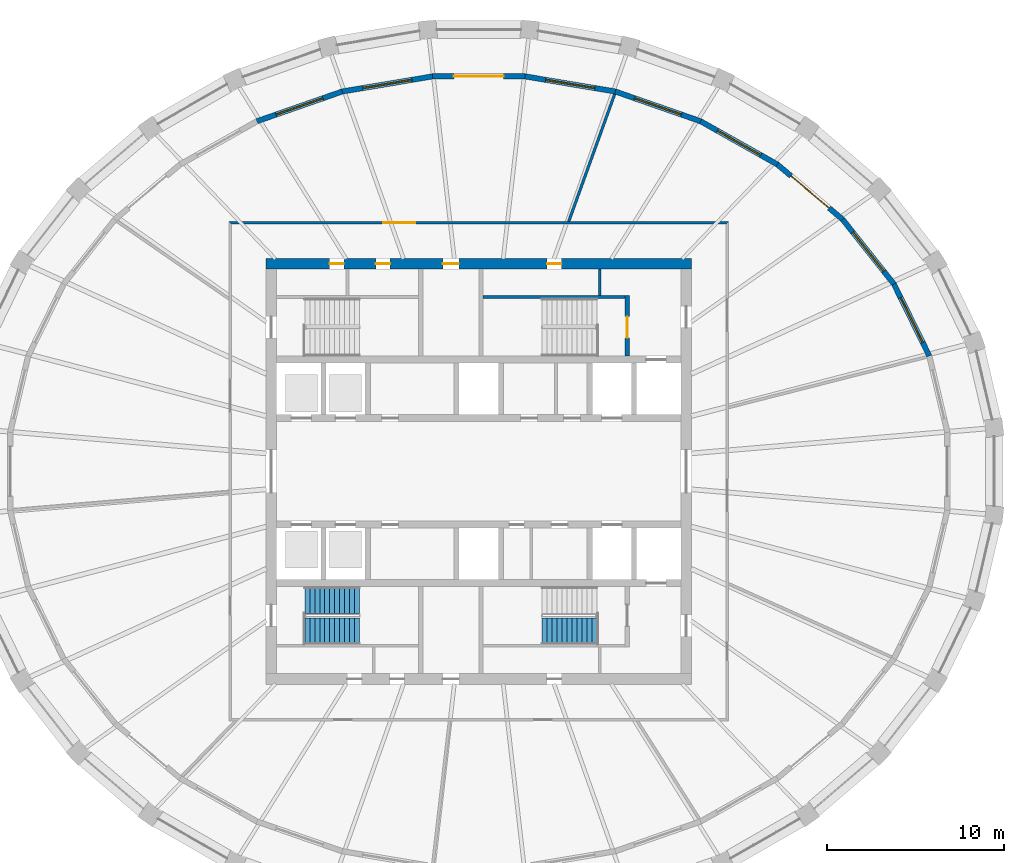
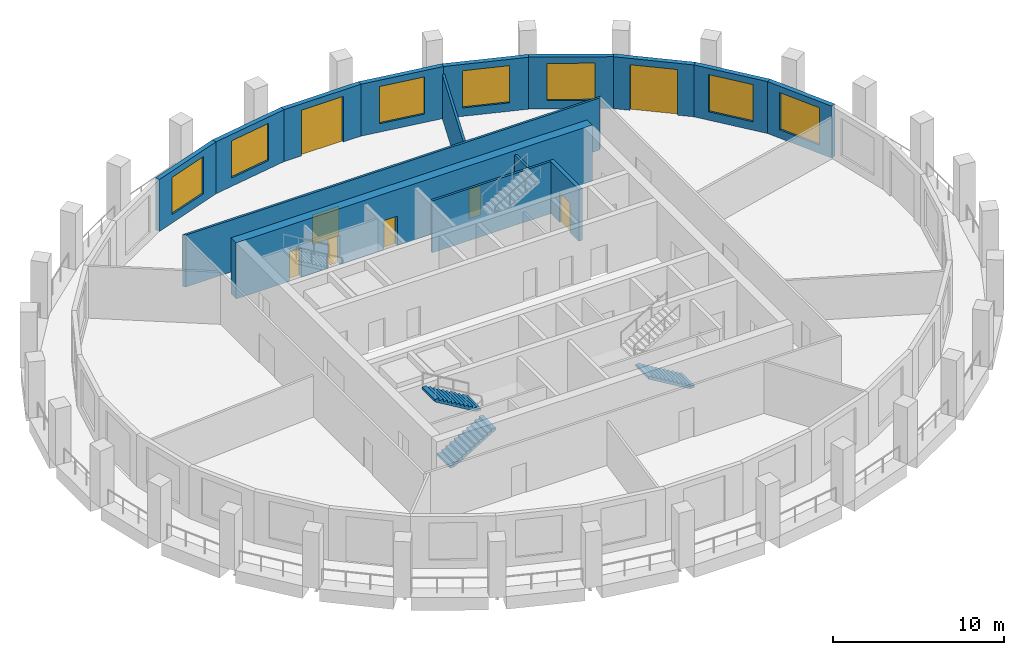
# One storey, part 6 of 10: 15 walls, 8 doors, 7 windows, 3 stair flights, 15 openings, 2 elements without a shape of their own.
"""IFC4 building model written with IfcOpenShell, lengths in metres."""

from ifc_helpers import new_model, si_unit, direction, frame, frame_2d, origin, place, context, subcontext, project, spatial, polyline, rectangle, outline, extrude, material, layer, layer_set, type_object, element, fill, aggregate, save


model = new_model("IFC4")

# Units and contexts
model_context = context("Model", 3, precision=1e-05, world=origin(), true_north=direction((0.0, 1.0)))
body_context = subcontext(model_context, "Body", "Model", "MODEL_VIEW")
ifc_project = project(units=[si_unit("LENGTHUNIT", "METRE"), si_unit("AREAUNIT", "SQUARE_METRE"), si_unit("VOLUMEUNIT", "CUBIC_METRE"), si_unit("PLANEANGLEUNIT", "RADIAN"), si_unit("MASSUNIT", "GRAM", prefix="KILO")], contexts=[model_context])

# Site, building, storey
site_placement = place(None, origin())
site = spatial("IfcSite", under=ifc_project, at=site_placement, CompositionType="ELEMENT")
building_placement = place(site_placement, origin())
building = spatial("IfcBuilding", under=site, at=building_placement, Name="Halqa Exchange Tower", CompositionType="ELEMENT")
storey_placement = place(building_placement, frame((0.0, 0.0, 296.300048828125)))
storey = spatial("IfcBuildingStorey", under=building, at=storey_placement, Name="L69", CompositionType="ELEMENT", Elevation=296.300048828125)

# Wall, opening, door
ifc_material_1 = material(Name="Fire-rated gypsum board")
ifc_layer_1 = layer(ifc_material_1, 0.14990234375)
ifc_layer_set_1 = layer_set([ifc_layer_1], Name="Fire-rated gypsum board")
wall_type_1 = type_object("IfcWallType", Name="Fire partition EI 60 150", PredefinedType="PARTITIONING", material=ifc_layer_set_1)
wall_1_placement = place(storey_placement, frame((-14.074951171875, 14.0, 0.0), z_axis=(0.0, 0.0, 1.0), x_axis=(1.0, 0.0, 0.0)))
wall_1 = element("IfcWall", 1, at=wall_1_placement, inside=storey, type_object=wall_type_1, Name="L69-PWL-005", PredefinedType="PARTITIONING", context=body_context, shape_type="SweptSolid", body=[
    extrude(outline(polyline([(0.14990234375, -0.074951171875), (2.13916015625, -0.074951171875), (4.12841796875, -0.074951171875), (6.11767578125, -0.074951171875), (8.107177734375, -0.074951171875), (10.096435546875, -0.074951171875), (12.085693359375, -0.074951171875), (14.074951171875, -0.074951171875), (16.064208984375, -0.074951171875), (18.053466796875, -0.074951171875), (20.042724609375, -0.074951171875), (22.0322265625, -0.074951171875), (24.021484375, -0.074951171875), (26.0107421875, -0.074951171875), (28.0, -0.074951171875), (28.14990234375, 0.074951171875), (26.273193359375, 0.074951171875), (24.396484375, 0.074951171875), (22.52001953125, 0.074951171875), (20.643310546875, 0.074951171875), (18.7666015625, 0.074951171875), (16.889892578125, 0.074951171875), (15.01318359375, 0.074951171875), (13.13671875, 0.074951171875), (11.260009765625, 0.074951171875), (9.38330078125, 0.074951171875), (7.506591796875, 0.074951171875), (5.6298828125, 0.074951171875), (3.75341796875, 0.074951171875), (1.876708984375, 0.074951171875), (0.0, 0.074951171875), (0.14990234375, -0.074951171875)])), origin(), (0.0, 0.0, 1.0), 3.699951171875),
])
opening_1_placement = place(wall_1_placement, frame((8.695068359375, 0.0, 0.0)))
opening_1 = element("IfcOpeningElement", 2, at=opening_1_placement, cuts=wall_1, Name="Opening 21-08", PredefinedType="OPENING", context=body_context, shape_type="SweptSolid", body=[
    extrude(rectangle(XDim=1.800048828125, YDim=2.10009765625, at=frame_2d((0.89990234375, 1.050048828125))), frame((0.0, 0.0869140625, 0.0), z_axis=(0.0, -1.0, 0.0), x_axis=(1.0, 0.0, 0.0)), (0.0, 0.0, 1.0), 0.173828125),
])
ifc_material_2 = material(Name="Steel fire door leaf", Category="steel")
door_type_1 = type_object("IfcDoorType", Name="Fire door FD30S double 1800 x 2100", OperationType="DOUBLE_DOOR_SINGLE_SWING", PredefinedType="DOOR", material=ifc_material_2)
door_1_placement = place(opening_1_placement, origin())
door_1 = element("IfcDoor", 3, at=door_1_placement, inside=storey, type_object=door_type_1, Name="L69-IDR-008", OperationType="DOUBLE_DOOR_SINGLE_SWING", OverallHeight=2.10009765625, OverallWidth=1.800048828125, PredefinedType="DOOR", context=body_context, shape_type="SweptSolid", body=[
    extrude(rectangle(XDim=1.800048828125, YDim=2.10009765625, at=frame_2d((0.89990234375, 1.050048828125))), frame((0.0, 0.02490234375, 0.0), z_axis=(0.0, -1.0, 0.0), x_axis=(1.0, 0.0, 0.0)), (0.0, 0.0, 1.0), 0.050048828125),
])
fill(opening_1, door_1)

# Walls
wall_2_placement = place(storey_placement, frame((5.05810546875, 14.0498046875, 0.0), z_axis=(0.0, 0.0, 1.0), x_axis=(0.339337577603, 0.940664663111, 0.0)))
element("IfcWall", 4, at=wall_2_placement, inside=storey, type_object=wall_type_1, Name="L69-PWL-008", PredefinedType="PARTITIONING", context=body_context, shape_type="SweptSolid", body=[
    extrude(outline(polyline([(7.663818359375, -0.074951171875), (7.663818359375, -0.03857421875), (7.663330078125, -0.000244140625), (7.649658203125, 0.074951171875), (5.7373046875, 0.074951171875), (3.82470703125, 0.074951171875), (1.912353515625, 0.074951171875), (0.0, 0.074951171875), (0.0, 0.07421875), (0.0537109375, -0.074951171875), (1.956298828125, -0.074951171875), (3.85888671875, -0.074951171875), (5.76123046875, -0.074951171875), (7.663818359375, -0.074951171875)])), origin(), (0.0, 0.0, 1.0), 3.14990234375),
])
ifc_material_3 = material(Name="Gypsum board")
ifc_layer_2 = layer(ifc_material_3, 0.14990234375)
ifc_layer_set_2 = layer_set([ifc_layer_2], Name="Gypsum board")
wall_type_2 = type_object("IfcWallType", Name="Penthouse riser wall 150 gypsum", PredefinedType="PARTITIONING", material=ifc_layer_set_2)
wall_3_placement = place(storey_placement, frame((6.824951171875, 9.89990234375, 0.0), z_axis=(0.0, 0.0, 1.0), x_axis=(0.0, 1.0, 0.0)))
element("IfcWall", 5, at=wall_3_placement, inside=storey, type_object=wall_type_2, Name="Firefighting lobby west wall N", PredefinedType="PARTITIONING", context=body_context, shape_type="SweptSolid", body=[
    extrude(rectangle(XDim=1.5, YDim=0.14990234375, at=frame_2d((0.75, 0.0))), origin(), (0.0, 0.0, 1.0), 3.699951171875),
])

# Wall, openings, doors
ifc_material_4 = material(Name="Concrete C60/75", Category="concrete")
ifc_layer_3 = layer(ifc_material_4, 0.60009765625)
ifc_layer_set_3 = layer_set([ifc_layer_3], Name="Concrete C60/75")
wall_type_3 = type_object("IfcWallType", Name="RC core wall 600 C60/75", PredefinedType="SHEAR", material=ifc_layer_set_3)
wall_4_placement = place(storey_placement, frame((-12.0, 11.699951171875, 0.0), z_axis=(0.0, 0.0, 1.0), x_axis=(1.0, 0.0, 0.0)))
wall_4 = element("IfcWall", 6, at=wall_4_placement, inside=storey, type_object=wall_type_3, Name="Core wall north", PredefinedType="SHEAR", context=body_context, shape_type="SweptSolid", body=[
    extrude(rectangle(XDim=24.0, YDim=0.60009765625, at=frame_2d((12.0, 0.0))), origin(), (0.0, 0.0, 1.0), 4.0),
])
opening_2_placement = place(wall_4_placement, frame((9.97509765625, 0.0, 0.0)))
opening_2 = element("IfcOpeningElement", 7, at=opening_2_placement, cuts=wall_4, Name="Opening T21-C17", PredefinedType="OPENING", context=body_context, shape_type="SweptSolid", body=[
    extrude(rectangle(XDim=0.89990234375, YDim=2.10009765625, at=frame_2d((0.449951171875, 1.050048828125))), frame((0.0, 0.31201171875, 0.0), z_axis=(0.0, -1.0, 0.0), x_axis=(1.0, 0.0, 0.0)), (0.0, 0.0, 1.0), 0.6240234375),
])
opening_3_placement = place(wall_4_placement, frame((3.60009765625, 0.0, 0.0)))
opening_3 = element("IfcOpeningElement", 8, at=opening_3_placement, cuts=wall_4, Name="Opening T21-C18", PredefinedType="OPENING", context=body_context, shape_type="SweptSolid", body=[
    extrude(rectangle(XDim=0.800048828125, YDim=2.10009765625, at=frame_2d((0.39990234375, 1.050048828125))), frame((0.0, 0.31201171875, 0.0), z_axis=(0.0, -1.0, 0.0), x_axis=(1.0, 0.0, 0.0)), (0.0, 0.0, 1.0), 0.6240234375),
])
opening_4_placement = place(wall_4_placement, frame((6.199951171875, 0.0, 0.0)))
opening_4 = element("IfcOpeningElement", 9, at=opening_4_placement, cuts=wall_4, Name="Opening T21-C19", PredefinedType="OPENING", context=body_context, shape_type="SweptSolid", body=[
    extrude(rectangle(XDim=0.800048828125, YDim=2.10009765625, at=frame_2d((0.39990234375, 1.050048828125))), frame((0.0, 0.31201171875, 0.0), z_axis=(0.0, -1.0, 0.0), x_axis=(1.0, 0.0, 0.0)), (0.0, 0.0, 1.0), 0.6240234375),
])
opening_5_placement = place(wall_4_placement, frame((15.85009765625, 0.0, 0.0)))
opening_5 = element("IfcOpeningElement", 10, at=opening_5_placement, cuts=wall_4, Name="Opening T21-C20", PredefinedType="OPENING", context=body_context, shape_type="SweptSolid", body=[
    extrude(rectangle(XDim=0.800048828125, YDim=2.10009765625, at=frame_2d((0.39990234375, 1.050048828125))), frame((0.0, 0.31201171875, 0.0), z_axis=(0.0, -1.0, 0.0), x_axis=(1.0, 0.0, 0.0)), (0.0, 0.0, 1.0), 0.6240234375),
])
ifc_material_5 = material(Name="Timber fire door leaf", Category="wood")
door_type_2 = type_object("IfcDoorType", Name="Core room door FD30 900 x 2100", OperationType="SINGLE_SWING_LEFT", PredefinedType="DOOR", material=ifc_material_5)
door_2_placement = place(opening_2_placement, frame((0.89990234375, 0.0, 0.0), z_axis=(0.0, 0.0, 1.0), x_axis=(-1.0, 0.0, 0.0)))
door_2 = element("IfcDoor", 11, at=door_2_placement, inside=storey, type_object=door_type_2, Name="Core room door", OperationType="SINGLE_SWING_RIGHT", OverallHeight=2.10009765625, OverallWidth=0.89990234375, PredefinedType="DOOR", context=body_context, shape_type="SweptSolid", body=[
    extrude(rectangle(XDim=0.89990234375, YDim=2.10009765625, at=frame_2d((0.449951171875, 1.050048828125))), frame((0.0, 0.02490234375, 0.0), z_axis=(0.0, -1.0, 0.0), x_axis=(1.0, 0.0, 0.0)), (0.0, 0.0, 1.0), 0.050048828125),
])
fill(opening_2, door_2)
door_type_3 = type_object("IfcDoorType", Name="Riser door FD60 800 x 2100", OperationType="SINGLE_SWING_LEFT", PredefinedType="DOOR", material=ifc_material_2)
door_3_placement = place(opening_3_placement, frame((0.800048828125, 0.0, 0.0), z_axis=(0.0, 0.0, 1.0), x_axis=(-1.0, 0.0, 0.0)))
door_3 = element("IfcDoor", 12, at=door_3_placement, inside=storey, type_object=door_type_3, Name="Core room door", OperationType="SINGLE_SWING_RIGHT", OverallHeight=2.10009765625, OverallWidth=0.800048828125, PredefinedType="DOOR", context=body_context, shape_type="SweptSolid", body=[
    extrude(rectangle(XDim=0.800048828125, YDim=2.10009765625, at=frame_2d((0.39990234375, 1.050048828125))), frame((0.0, 0.02490234375, 0.0), z_axis=(0.0, -1.0, 0.0), x_axis=(1.0, 0.0, 0.0)), (0.0, 0.0, 1.0), 0.050048828125),
])
fill(opening_3, door_3)
door_4_placement = place(opening_4_placement, frame((0.800048828125, 0.0, 0.0), z_axis=(0.0, 0.0, 1.0), x_axis=(-1.0, 0.0, 0.0)))
door_4 = element("IfcDoor", 13, at=door_4_placement, inside=storey, type_object=door_type_3, Name="Core room door", OperationType="SINGLE_SWING_LEFT", OverallHeight=2.10009765625, OverallWidth=0.800048828125, PredefinedType="DOOR", context=body_context, shape_type="SweptSolid", body=[
    extrude(rectangle(XDim=0.800048828125, YDim=2.10009765625, at=frame_2d((0.39990234375, 1.050048828125))), frame((0.0, 0.02490234375, 0.0), z_axis=(0.0, -1.0, 0.0), x_axis=(1.0, 0.0, 0.0)), (0.0, 0.0, 1.0), 0.050048828125),
])
fill(opening_4, door_4)
door_5_placement = place(opening_5_placement, frame((0.800048828125, 0.0, 0.0), z_axis=(0.0, 0.0, 1.0), x_axis=(-1.0, 0.0, 0.0)))
door_5 = element("IfcDoor", 14, at=door_5_placement, inside=storey, type_object=door_type_3, Name="Core room door", OperationType="SINGLE_SWING_RIGHT", OverallHeight=2.10009765625, OverallWidth=0.800048828125, PredefinedType="DOOR", context=body_context, shape_type="SweptSolid", body=[
    extrude(rectangle(XDim=0.800048828125, YDim=2.10009765625, at=frame_2d((0.39990234375, 1.050048828125))), frame((0.0, 0.02490234375, 0.0), z_axis=(0.0, -1.0, 0.0), x_axis=(1.0, 0.0, 0.0)), (0.0, 0.0, 1.0), 0.050048828125),
])
fill(opening_5, door_5)

# Wall
ifc_material_6 = material(Name="Concrete C30/37", Category="concrete")
ifc_layer_4 = layer(ifc_material_6, 0.14990234375)
ifc_layer_set_4 = layer_set([ifc_layer_4], Name="Concrete C30/37")
wall_type_4 = type_object("IfcWallType", Name="RC stair wall 150 C30/37", PredefinedType="SHEAR", material=ifc_layer_set_4)
wall_5_placement = place(storey_placement, frame((0.25, 9.824951171875, 0.0), z_axis=(0.0, 0.0, 1.0), x_axis=(1.0, 0.0, 0.0)))
element("IfcWall", 15, at=wall_5_placement, inside=storey, type_object=wall_type_4, Name="Stair ST2 north wall N", PredefinedType="SHEAR", context=body_context, shape_type="SweptSolid", body=[
    extrude(rectangle(XDim=8.0, YDim=0.14990234375, at=frame_2d((4.0, 0.0))), origin(), (0.0, 0.0, 1.0), 3.699951171875),
])

# Wall, opening, door
ifc_layer_5 = layer(ifc_material_6, 0.25)
ifc_layer_set_5 = layer_set([ifc_layer_5], Name="Concrete C30/37")
wall_type_5 = type_object("IfcWallType", Name="RC stair wall 250 C30/37", PredefinedType="SHEAR", material=ifc_layer_set_5)
wall_6_placement = place(storey_placement, frame((8.375, 6.5, 0.0), z_axis=(0.0, 0.0, 1.0), x_axis=(0.0, 1.0, 0.0)))
wall_6 = element("IfcWall", 16, at=wall_6_placement, inside=storey, type_object=wall_type_5, Name="Stair ST2 east wall N", PredefinedType="SHEAR", context=body_context, shape_type="SweptSolid", body=[
    extrude(rectangle(XDim=3.39990234375, YDim=0.25, at=frame_2d((1.699951171875, 0.0))), origin(), (0.0, 0.0, 1.0), 3.699951171875),
])
opening_6_placement = place(wall_6_placement, frame((1.02490234375, 0.0, 0.0)))
opening_6 = element("IfcOpeningElement", 17, at=opening_6_placement, cuts=wall_6, Name="Opening T21-C12", PredefinedType="OPENING", context=body_context, shape_type="SweptSolid", body=[
    extrude(rectangle(XDim=1.199951171875, YDim=2.10009765625, at=frame_2d((0.60009765625, 1.050048828125))), frame((0.0, 0.136962890625, 0.0), z_axis=(0.0, -1.0, 0.0), x_axis=(1.0, 0.0, 0.0)), (0.0, 0.0, 1.0), 0.27392578125),
])
door_type_4 = type_object("IfcDoorType", Name="Stair door FD90 1200 x 2100", OperationType="SINGLE_SWING_LEFT", PredefinedType="DOOR", material=ifc_material_2)
door_6_placement = place(opening_6_placement, origin())
door_6 = element("IfcDoor", 18, at=door_6_placement, inside=storey, type_object=door_type_4, Name="Stair door ST2", OperationType="SINGLE_SWING_RIGHT", OverallHeight=2.10009765625, OverallWidth=1.199951171875, PredefinedType="DOOR", context=body_context, shape_type="SweptSolid", body=[
    extrude(rectangle(XDim=1.199951171875, YDim=2.10009765625, at=frame_2d((0.60009765625, 1.050048828125))), frame((0.0, 0.02490234375, 0.0), z_axis=(0.0, -1.0, 0.0), x_axis=(1.0, 0.0, 0.0)), (0.0, 0.0, 1.0), 0.050048828125),
])
fill(opening_6, door_6)

# Wall, opening, window
ifc_material_7 = material(Name="Limestone cladding", Category="masonry")
ifc_layer_6 = layer(ifc_material_7, 0.0400390625)
ifc_material_8 = material(Name="Ventilated cavity")
ifc_layer_7 = layer(ifc_material_8, 0.030029296875, ventilated=True)
ifc_material_9 = material(Name="Mineral wool insulation")
ifc_layer_8 = layer(ifc_material_9, 0.10009765625)
ifc_layer_9 = layer(ifc_material_6, 0.10009765625)
ifc_material_10 = material(Name="Internal plaster")
ifc_layer_10 = layer(ifc_material_10, 0.030029296875)
ifc_layer_set_6 = layer_set([ifc_layer_6, ifc_layer_7, ifc_layer_8, ifc_layer_9, ifc_layer_10], Name="Stone-faced insulated wall 300")
wall_type_6 = type_object("IfcWallType", Name="Stone-faced insulated wall 300", PredefinedType="STANDARD", material=ifc_layer_set_6)
wall_7_placement = place(storey_placement, frame((25.39013671875, 6.499755859375, 0.0), z_axis=(0.0, 0.0, 1.0), x_axis=(-0.441431671743, 0.897294867467, 0.0)))
wall_7 = element("IfcWall", 19, at=wall_7_placement, inside=storey, type_object=wall_type_6, Name="Glass-line wall 2", PredefinedType="STANDARD", context=body_context, shape_type="SweptSolid", body=[
    extrude(outline(polyline([(-0.016845703125, -0.14990234375), (4.532958984375, -0.14990234375), (4.500732421875, 0.14990234375), (0.016845703125, 0.14990234375), (-0.016845703125, -0.14990234375)])), origin(), (0.0, 0.0, 1.0), 3.699951171875),
])
opening_7_placement = place(wall_7_placement, frame((0.8583984375, 0.0, 0.60009765625)))
opening_7 = element("IfcOpeningElement", 20, at=opening_7_placement, cuts=wall_7, Name="Opening W-F4-02", PredefinedType="OPENING", context=body_context, shape_type="SweptSolid", body=[
    extrude(rectangle(XDim=2.800048828125, YDim=2.64990234375, at=frame_2d((1.39990234375, 1.324951171875))), frame((0.0, 0.162109375, 0.0), z_axis=(0.0, -1.0, 0.0), x_axis=(1.0, 0.0, 0.0)), (0.0, 0.0, 1.0), 0.323974609375),
])
ifc_material_11 = material(Name="Clear low-emissivity glass in aluminium frame", Category="aluminium")
window_type = type_object("IfcWindowType", Name="Fixed clear glazed window 2800 x 2650", PartitioningType="DOUBLE_PANEL_VERTICAL", PredefinedType="WINDOW", material=ifc_material_11)
window_1_placement = place(opening_7_placement, origin())
window_1 = element("IfcWindow", 21, at=window_1_placement, inside=storey, type_object=window_type, Name="Window 4", OverallHeight=2.64990234375, OverallWidth=2.800048828125, PartitioningType="DOUBLE_PANEL_VERTICAL", PredefinedType="WINDOW", context=body_context, shape_type="SweptSolid", body=[
    extrude(rectangle(XDim=2.800048828125, YDim=2.64990234375, at=frame_2d((1.39990234375, 1.324951171875))), frame((0.0, 0.030029296875, 0.0), z_axis=(0.0, -1.0, 0.0), x_axis=(1.0, 0.0, 0.0)), (0.0, 0.0, 1.0), 0.06005859375),
])
fill(opening_7, window_1)

wall_8_placement = place(storey_placement, frame((23.396240234375, 10.552734375, 0.0), z_axis=(0.0, 0.0, 1.0), x_axis=(-0.621625671247, 0.783314448256, 0.0)))
wall_8 = element("IfcWall", 22, at=wall_8_placement, inside=storey, type_object=wall_type_6, Name="Glass-line wall 3", PredefinedType="STANDARD", context=body_context, shape_type="SweptSolid", body=[
    extrude(outline(polyline([(-0.01611328125, -0.14990234375), (4.668701171875, -0.14990234375), (4.638427734375, 0.14990234375), (0.01611328125, 0.14990234375), (-0.01611328125, -0.14990234375)])), origin(), (0.0, 0.0, 1.0), 3.699951171875),
])
opening_8_placement = place(wall_8_placement, frame((0.927001953125, 0.0, 0.60009765625)))
opening_8 = element("IfcOpeningElement", 23, at=opening_8_placement, cuts=wall_8, Name="Opening W-F4-03", PredefinedType="OPENING", context=body_context, shape_type="SweptSolid", body=[
    extrude(rectangle(XDim=2.800048828125, YDim=2.64990234375, at=frame_2d((1.39990234375, 1.324951171875))), frame((0.0, 0.162109375, 0.0), z_axis=(0.0, -1.0, 0.0), x_axis=(1.0, 0.0, 0.0)), (0.0, 0.0, 1.0), 0.323974609375),
])
window_2_placement = place(opening_8_placement, origin())
window_2 = element("IfcWindow", 24, at=window_2_placement, inside=storey, type_object=window_type, Name="Window 4", OverallHeight=2.64990234375, OverallWidth=2.800048828125, PartitioningType="DOUBLE_PANEL_VERTICAL", PredefinedType="WINDOW", context=body_context, shape_type="SweptSolid", body=[
    extrude(rectangle(XDim=2.800048828125, YDim=2.64990234375, at=frame_2d((1.39990234375, 1.324951171875))), frame((0.0, 0.030029296875, 0.0), z_axis=(0.0, -1.0, 0.0), x_axis=(1.0, 0.0, 0.0)), (0.0, 0.0, 1.0), 0.06005859375),
])
fill(opening_8, window_2)

# Wall, opening, door
wall_9_placement = place(storey_placement, frame((20.50341796875, 14.197998046875, 0.0), z_axis=(0.0, 0.0, 1.0), x_axis=(-0.764966473721, 0.644070100286, 0.0)))
wall_9 = element("IfcWall", 25, at=wall_9_placement, inside=storey, type_object=wall_type_6, Name="Glass-line wall 4", PredefinedType="STANDARD", context=body_context, shape_type="SweptSolid", body=[
    extrude(outline(polyline([(-0.01513671875, -0.14990234375), (4.824462890625, -0.14990234375), (4.796142578125, 0.14990234375), (0.01513671875, 0.14990234375), (-0.01513671875, -0.14990234375)])), origin(), (0.0, 0.0, 1.0), 3.699951171875),
])
opening_9_placement = place(wall_9_placement, frame((1.005126953125, 0.0, 0.0)))
opening_9 = element("IfcOpeningElement", 26, at=opening_9_placement, cuts=wall_9, Name="Opening LG-F4-01", PredefinedType="OPENING", context=body_context, shape_type="SweptSolid", body=[
    extrude(rectangle(XDim=2.800048828125, YDim=3.25, at=frame_2d((1.39990234375, 1.625))), frame((0.0, 0.162109375, 0.0), z_axis=(0.0, -1.0, 0.0), x_axis=(1.0, 0.0, 0.0)), (0.0, 0.0, 1.0), 0.323974609375),
])
door_type_5 = type_object("IfcDoorType", Name="Glazed sliding loggia door 2800 x 3250", OperationType="DOUBLE_DOOR_SLIDING", PredefinedType="DOOR", material=ifc_material_11)
door_7_placement = place(opening_9_placement, origin())
door_7 = element("IfcDoor", 27, at=door_7_placement, inside=storey, type_object=door_type_5, Name="Loggia door 1", OperationType="DOUBLE_DOOR_SLIDING", OverallHeight=3.25, OverallWidth=2.800048828125, PredefinedType="DOOR", context=body_context, shape_type="SweptSolid", body=[
    extrude(rectangle(XDim=2.800048828125, YDim=3.25, at=frame_2d((1.39990234375, 1.625))), frame((0.0, 0.02490234375, 0.0), z_axis=(0.0, -1.0, 0.0), x_axis=(1.0, 0.0, 0.0)), (0.0, 0.0, 1.0), 0.050048828125),
])
fill(opening_9, door_7)

# Wall, opening, window
wall_10_placement = place(storey_placement, frame((16.82373046875, 17.296142578125, 0.0), z_axis=(0.0, 0.0, 1.0), x_axis=(-0.871512454536, 0.490373369575, 0.0)))
wall_10 = element("IfcWall", 28, at=wall_10_placement, inside=storey, type_object=wall_type_6, Name="Glass-line wall 5", PredefinedType="STANDARD", context=body_context, shape_type="SweptSolid", body=[
    extrude(outline(polyline([(-0.01416015625, -0.14990234375), (4.97509765625, -0.14990234375), (4.9482421875, 0.14990234375), (0.01416015625, 0.14990234375), (-0.01416015625, -0.14990234375)])), origin(), (0.0, 0.0, 1.0), 3.699951171875),
])
opening_10_placement = place(wall_10_placement, frame((1.080810546875, 0.0, 0.60009765625)))
opening_10 = element("IfcOpeningElement", 29, at=opening_10_placement, cuts=wall_10, Name="Opening W-F4-05", PredefinedType="OPENING", context=body_context, shape_type="SweptSolid", body=[
    extrude(rectangle(XDim=2.800048828125, YDim=2.64990234375, at=frame_2d((1.39990234375, 1.324951171875))), frame((0.0, 0.162109375, 0.0), z_axis=(0.0, -1.0, 0.0), x_axis=(1.0, 0.0, 0.0)), (0.0, 0.0, 1.0), 0.323974609375),
])
window_3_placement = place(opening_10_placement, origin())
window_3 = element("IfcWindow", 30, at=window_3_placement, inside=storey, type_object=window_type, Name="Window 4", OverallHeight=2.64990234375, OverallWidth=2.800048828125, PartitioningType="DOUBLE_PANEL_VERTICAL", PredefinedType="WINDOW", context=body_context, shape_type="SweptSolid", body=[
    extrude(rectangle(XDim=2.800048828125, YDim=2.64990234375, at=frame_2d((1.39990234375, 1.324951171875))), frame((0.0, 0.030029296875, 0.0), z_axis=(0.0, -1.0, 0.0), x_axis=(1.0, 0.0, 0.0)), (0.0, 0.0, 1.0), 0.06005859375),
])
fill(opening_10, window_3)

wall_11_placement = place(storey_placement, frame((12.49951171875, 19.729248046875, 0.0), z_axis=(0.0, 0.0, 1.0), x_axis=(-0.944230376095, 0.329285585564, 0.0)))
wall_11 = element("IfcWall", 31, at=wall_11_placement, inside=storey, type_object=wall_type_6, Name="Glass-line wall 6", PredefinedType="STANDARD", context=body_context, shape_type="SweptSolid", body=[
    extrude(outline(polyline([(-0.013427734375, -0.14990234375), (5.099609375, -0.14990234375), (5.07421875, 0.14990234375), (0.013427734375, 0.14990234375), (-0.013427734375, -0.14990234375)])), origin(), (0.0, 0.0, 1.0), 3.699951171875),
])
opening_11_placement = place(wall_11_placement, frame((1.143310546875, 0.0, 0.60009765625)))
opening_11 = element("IfcOpeningElement", 32, at=opening_11_placement, cuts=wall_11, Name="Opening W-F4-06", PredefinedType="OPENING", context=body_context, shape_type="SweptSolid", body=[
    extrude(rectangle(XDim=2.800048828125, YDim=2.64990234375, at=frame_2d((1.39990234375, 1.324951171875))), frame((0.0, 0.162109375, 0.0), z_axis=(0.0, -1.0, 0.0), x_axis=(1.0, 0.0, 0.0)), (0.0, 0.0, 1.0), 0.323974609375),
])
window_4_placement = place(opening_11_placement, origin())
window_4 = element("IfcWindow", 33, at=window_4_placement, inside=storey, type_object=window_type, Name="Window 4", OverallHeight=2.64990234375, OverallWidth=2.800048828125, PartitioningType="DOUBLE_PANEL_VERTICAL", PredefinedType="WINDOW", context=body_context, shape_type="SweptSolid", body=[
    extrude(rectangle(XDim=2.800048828125, YDim=2.64990234375, at=frame_2d((1.39990234375, 1.324951171875))), frame((0.0, 0.030029296875, 0.0), z_axis=(0.0, -1.0, 0.0), x_axis=(1.0, 0.0, 0.0)), (0.0, 0.0, 1.0), 0.06005859375),
])
fill(opening_11, window_4)

wall_12_placement = place(storey_placement, frame((7.6962890625, 21.404296875, 0.0), z_axis=(0.0, 0.0, 1.0), x_axis=(-0.986263399459, 0.165180225475, 0.0)))
wall_12 = element("IfcWall", 34, at=wall_12_placement, inside=storey, type_object=wall_type_6, Name="Glass-line wall 7", PredefinedType="STANDARD", context=body_context, shape_type="SweptSolid", body=[
    extrude(outline(polyline([(-0.0126953125, -0.14990234375), (5.18115234375, -0.14990234375), (5.15625, 0.14990234375), (0.0126953125, 0.14990234375), (-0.0126953125, -0.14990234375)])), origin(), (0.0, 0.0, 1.0), 3.699951171875),
])
opening_12_placement = place(wall_12_placement, frame((1.184326171875, 0.0, 0.60009765625)))
opening_12 = element("IfcOpeningElement", 35, at=opening_12_placement, cuts=wall_12, Name="Opening W-F4-07", PredefinedType="OPENING", context=body_context, shape_type="SweptSolid", body=[
    extrude(rectangle(XDim=2.800048828125, YDim=2.64990234375, at=frame_2d((1.39990234375, 1.324951171875))), frame((0.0, 0.162109375, 0.0), z_axis=(0.0, -1.0, 0.0), x_axis=(1.0, 0.0, 0.0)), (0.0, 0.0, 1.0), 0.323974609375),
])
window_5_placement = place(opening_12_placement, origin())
window_5 = element("IfcWindow", 36, at=window_5_placement, inside=storey, type_object=window_type, Name="Window 4", OverallHeight=2.64990234375, OverallWidth=2.800048828125, PartitioningType="DOUBLE_PANEL_VERTICAL", PredefinedType="WINDOW", context=body_context, shape_type="SweptSolid", body=[
    extrude(rectangle(XDim=2.800048828125, YDim=2.64990234375, at=frame_2d((1.39990234375, 1.324951171875))), frame((0.0, 0.030029296875, 0.0), z_axis=(0.0, -1.0, 0.0), x_axis=(1.0, 0.0, 0.0)), (0.0, 0.0, 1.0), 0.06005859375),
])
fill(opening_12, window_5)

# Wall, opening, door
wall_13_placement = place(storey_placement, frame((2.5986328125, 22.258056640625, 0.0), z_axis=(0.0, 0.0, 1.0), x_axis=(-1.0, 0.0, 0.0)))
wall_13 = element("IfcWall", 37, at=wall_13_placement, inside=storey, type_object=wall_type_6, Name="Glass-line wall 8", PredefinedType="STANDARD", context=body_context, shape_type="SweptSolid", body=[
    extrude(outline(polyline([(-0.012451171875, -0.14990234375), (5.209716796875, -0.14990234375), (5.184814453125, 0.14990234375), (0.012451171875, 0.14990234375), (-0.012451171875, -0.14990234375)])), origin(), (0.0, 0.0, 1.0), 3.699951171875),
])
opening_13_placement = place(wall_13_placement, frame((1.198486328125, 0.0, 0.0)))
opening_13 = element("IfcOpeningElement", 38, at=opening_13_placement, cuts=wall_13, Name="Opening LG-F4-02", PredefinedType="OPENING", context=body_context, shape_type="SweptSolid", body=[
    extrude(rectangle(XDim=2.800048828125, YDim=3.25, at=frame_2d((1.39990234375, 1.625))), frame((0.0, 0.162109375, 0.0), z_axis=(0.0, -1.0, 0.0), x_axis=(1.0, 0.0, 0.0)), (0.0, 0.0, 1.0), 0.323974609375),
])
door_8_placement = place(opening_13_placement, origin())
door_8 = element("IfcDoor", 39, at=door_8_placement, inside=storey, type_object=door_type_5, Name="Loggia door 2", OperationType="DOUBLE_DOOR_SLIDING", OverallHeight=3.25, OverallWidth=2.800048828125, PredefinedType="DOOR", context=body_context, shape_type="SweptSolid", body=[
    extrude(rectangle(XDim=2.800048828125, YDim=3.25, at=frame_2d((1.39990234375, 1.625))), frame((0.0, 0.02490234375, 0.0), z_axis=(0.0, -1.0, 0.0), x_axis=(1.0, 0.0, 0.0)), (0.0, 0.0, 1.0), 0.050048828125),
])
fill(opening_13, door_8)

# Wall, opening, window
wall_14_placement = place(storey_placement, frame((-2.5986328125, 22.258056640625, 0.0), z_axis=(0.0, 0.0, 1.0), x_axis=(-0.986263399459, -0.165180225475, 0.0)))
wall_14 = element("IfcWall", 40, at=wall_14_placement, inside=storey, type_object=wall_type_6, Name="Glass-line wall 9", PredefinedType="STANDARD", context=body_context, shape_type="SweptSolid", body=[
    extrude(outline(polyline([(-0.012451171875, -0.14990234375), (5.181396484375, -0.14990234375), (5.156005859375, 0.14990234375), (0.012451171875, 0.14990234375), (-0.012451171875, -0.14990234375)])), origin(), (0.0, 0.0, 1.0), 3.699951171875),
])
opening_14_placement = place(wall_14_placement, frame((1.184326171875, 0.0, 0.60009765625)))
opening_14 = element("IfcOpeningElement", 41, at=opening_14_placement, cuts=wall_14, Name="Opening W-F4-09", PredefinedType="OPENING", context=body_context, shape_type="SweptSolid", body=[
    extrude(rectangle(XDim=2.800048828125, YDim=2.64990234375, at=frame_2d((1.39990234375, 1.324951171875))), frame((0.0, 0.162109375, 0.0), z_axis=(0.0, -1.0, 0.0), x_axis=(1.0, 0.0, 0.0)), (0.0, 0.0, 1.0), 0.323974609375),
])
window_6_placement = place(opening_14_placement, origin())
window_6 = element("IfcWindow", 42, at=window_6_placement, inside=storey, type_object=window_type, Name="Window 4", OverallHeight=2.64990234375, OverallWidth=2.800048828125, PartitioningType="DOUBLE_PANEL_VERTICAL", PredefinedType="WINDOW", context=body_context, shape_type="SweptSolid", body=[
    extrude(rectangle(XDim=2.800048828125, YDim=2.64990234375, at=frame_2d((1.39990234375, 1.324951171875))), frame((0.0, 0.030029296875, 0.0), z_axis=(0.0, -1.0, 0.0), x_axis=(1.0, 0.0, 0.0)), (0.0, 0.0, 1.0), 0.06005859375),
])
fill(opening_14, window_6)

wall_15_placement = place(storey_placement, frame((-7.6962890625, 21.404296875, 0.0), z_axis=(0.0, 0.0, 1.0), x_axis=(-0.944230376095, -0.329285585564, 0.0)))
wall_15 = element("IfcWall", 43, at=wall_15_placement, inside=storey, type_object=wall_type_6, Name="Glass-line wall 10", PredefinedType="STANDARD", context=body_context, shape_type="SweptSolid", body=[
    extrude(outline(polyline([(-0.0126953125, -0.14990234375), (5.100341796875, -0.14990234375), (5.073486328125, 0.14990234375), (0.0126953125, 0.14990234375), (-0.0126953125, -0.14990234375)])), origin(), (0.0, 0.0, 1.0), 3.699951171875),
])
opening_15_placement = place(wall_15_placement, frame((1.143310546875, 0.0, 0.60009765625)))
opening_15 = element("IfcOpeningElement", 44, at=opening_15_placement, cuts=wall_15, Name="Opening W-F4-10", PredefinedType="OPENING", context=body_context, shape_type="SweptSolid", body=[
    extrude(rectangle(XDim=2.800048828125, YDim=2.64990234375, at=frame_2d((1.39990234375, 1.324951171875))), frame((0.0, 0.162109375, 0.0), z_axis=(0.0, -1.0, 0.0), x_axis=(1.0, 0.0, 0.0)), (0.0, 0.0, 1.0), 0.323974609375),
])
window_7_placement = place(opening_15_placement, origin())
window_7 = element("IfcWindow", 45, at=window_7_placement, inside=storey, type_object=window_type, Name="Window 4", OverallHeight=2.64990234375, OverallWidth=2.800048828125, PartitioningType="DOUBLE_PANEL_VERTICAL", PredefinedType="WINDOW", context=body_context, shape_type="SweptSolid", body=[
    extrude(rectangle(XDim=2.800048828125, YDim=2.64990234375, at=frame_2d((1.39990234375, 1.324951171875))), frame((0.0, 0.030029296875, 0.0), z_axis=(0.0, -1.0, 0.0), x_axis=(1.0, 0.0, 0.0)), (0.0, 0.0, 1.0), 0.06005859375),
])
fill(opening_15, window_7)

# Stair, stair flights
stair_type = type_object("IfcStairType", Name="Exit stair 1500 wide", PredefinedType="HALF_TURN_STAIR", material=ifc_material_6)
stair_1_placement = place(storey_placement, origin())
stair_1 = element("IfcStair", 46, at=stair_1_placement, inside=storey, type_object=stair_type, Name="Exit stair ST3", PredefinedType="HALF_TURN_STAIR")
stair_flight_type = type_object("IfcStairFlightType", Name="Stair flight 1500 wide", PredefinedType="STRAIGHT", material=ifc_material_6)
stair_flight_1_placement = place(storey_placement, frame((-9.800048828125, -9.0, 0.0), z_axis=(0.0, 0.0, 1.0), x_axis=(1.0, 0.0, 0.0)))
stair_flight_1 = element("IfcStairFlight", 47, at=stair_flight_1_placement, type_object=stair_flight_type, Name="ST3 flight 1", NumberOfRisers=12, NumberOfTreads=11, PredefinedType="STRAIGHT", RiserHeight=0.166666667, TreadLength=0.28, context=body_context, shape_type="SweptSolid", body=[
    extrude(outline(polyline([(0.0, 0.0), (0.0, 0.166748046875), (0.280029296875, 0.166748046875), (0.280029296875, 0.333251953125), (0.56005859375, 0.333251953125), (0.56005859375, 0.5), (0.840087890625, 0.5), (0.840087890625, 0.666748046875), (1.1201171875, 0.666748046875), (1.1201171875, 0.833251953125), (1.39990234375, 0.833251953125), (1.39990234375, 1.0), (1.679931640625, 1.0), (1.679931640625, 1.166748046875), (1.9599609375, 1.166748046875), (1.9599609375, 1.333251953125), (2.239990234375, 1.333251953125), (2.239990234375, 1.5), (2.52001953125, 1.5), (2.52001953125, 1.666748046875), (2.800048828125, 1.666748046875), (2.800048828125, 1.833251953125), (3.080078125, 1.833251953125), (3.080078125, 2.0), (3.080078125, 1.658935546875), (0.29296875, 0.0), (0.0, 0.0)])), frame((0.0, 0.75, 0.0), z_axis=(0.0, -1.0, 0.0), x_axis=(1.0, 0.0, 0.0)), (0.0, 0.0, 1.0), 1.5),
])
stair_flight_2_placement = place(storey_placement, frame((-6.719970703125, -7.25, 2.0), z_axis=(0.0, 0.0, 1.0), x_axis=(-1.0, 0.0, 0.0)))
stair_flight_2 = element("IfcStairFlight", 48, at=stair_flight_2_placement, type_object=stair_flight_type, Name="ST3 flight 2", NumberOfRisers=12, NumberOfTreads=11, PredefinedType="STRAIGHT", RiserHeight=0.166666667, TreadLength=0.28, context=body_context, shape_type="SweptSolid", body=[
    extrude(outline(polyline([(0.0, 0.0), (0.0, 0.166748046875), (0.280029296875, 0.166748046875), (0.280029296875, 0.333251953125), (0.56005859375, 0.333251953125), (0.56005859375, 0.5), (0.840087890625, 0.5), (0.840087890625, 0.666748046875), (1.1201171875, 0.666748046875), (1.1201171875, 0.833251953125), (1.39990234375, 0.833251953125), (1.39990234375, 1.0), (1.679931640625, 1.0), (1.679931640625, 1.166748046875), (1.9599609375, 1.166748046875), (1.9599609375, 1.333251953125), (2.239990234375, 1.333251953125), (2.239990234375, 1.5), (2.52001953125, 1.5), (2.52001953125, 1.666748046875), (2.800048828125, 1.666748046875), (2.800048828125, 1.833251953125), (3.080078125, 1.833251953125), (3.080078125, 2.0), (3.080078125, 1.658935546875), (0.29296875, 0.0), (0.0, 0.0)])), frame((0.0, 0.75, 0.0), z_axis=(0.0, -1.0, 0.0), x_axis=(1.0, 0.0, 0.0)), (0.0, 0.0, 1.0), 1.5),
])
aggregate(stair_1, [stair_flight_1, stair_flight_2])

# Stair, stair flight
stair_2_placement = place(storey_placement, origin())
stair_2 = element("IfcStair", 49, at=stair_2_placement, inside=storey, type_object=stair_type, Name="Exit stair ST4", PredefinedType="HALF_TURN_STAIR")
stair_flight_3_placement = place(storey_placement, frame((6.64990234375, -9.0, 0.0), z_axis=(0.0, 0.0, 1.0), x_axis=(-1.0, 0.0, 0.0)))
stair_flight_3 = element("IfcStairFlight", 50, at=stair_flight_3_placement, type_object=stair_flight_type, Name="ST4 flight 1", NumberOfRisers=12, NumberOfTreads=11, PredefinedType="STRAIGHT", RiserHeight=0.166666667, TreadLength=0.28, context=body_context, shape_type="SweptSolid", body=[
    extrude(outline(polyline([(0.0, 0.0), (0.0, 0.166748046875), (0.280029296875, 0.166748046875), (0.280029296875, 0.333251953125), (0.56005859375, 0.333251953125), (0.56005859375, 0.5), (0.840087890625, 0.5), (0.840087890625, 0.666748046875), (1.1201171875, 0.666748046875), (1.1201171875, 0.833251953125), (1.39990234375, 0.833251953125), (1.39990234375, 1.0), (1.679931640625, 1.0), (1.679931640625, 1.166748046875), (1.9599609375, 1.166748046875), (1.9599609375, 1.333251953125), (2.239990234375, 1.333251953125), (2.239990234375, 1.5), (2.52001953125, 1.5), (2.52001953125, 1.666748046875), (2.800048828125, 1.666748046875), (2.800048828125, 1.833251953125), (3.080078125, 1.833251953125), (3.080078125, 2.0), (3.080078125, 1.658935546875), (0.29296875, 0.0), (0.0, 0.0)])), frame((0.0, 0.75, 0.0), z_axis=(0.0, -1.0, 0.0), x_axis=(1.0, 0.0, 0.0)), (0.0, 0.0, 1.0), 1.5),
])
aggregate(stair_2, [stair_flight_3])

save(model, "model.ifc")
